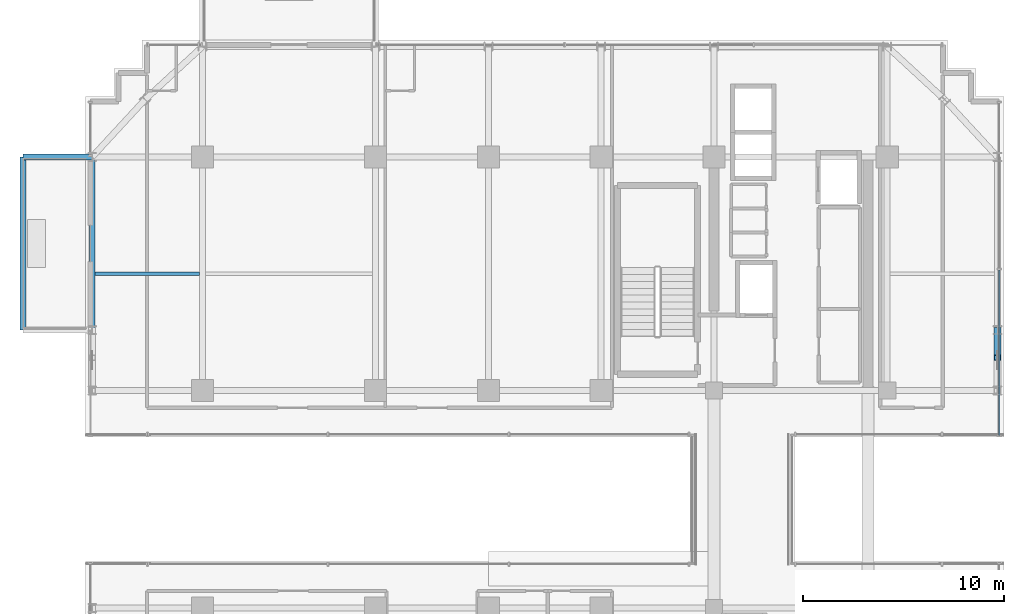
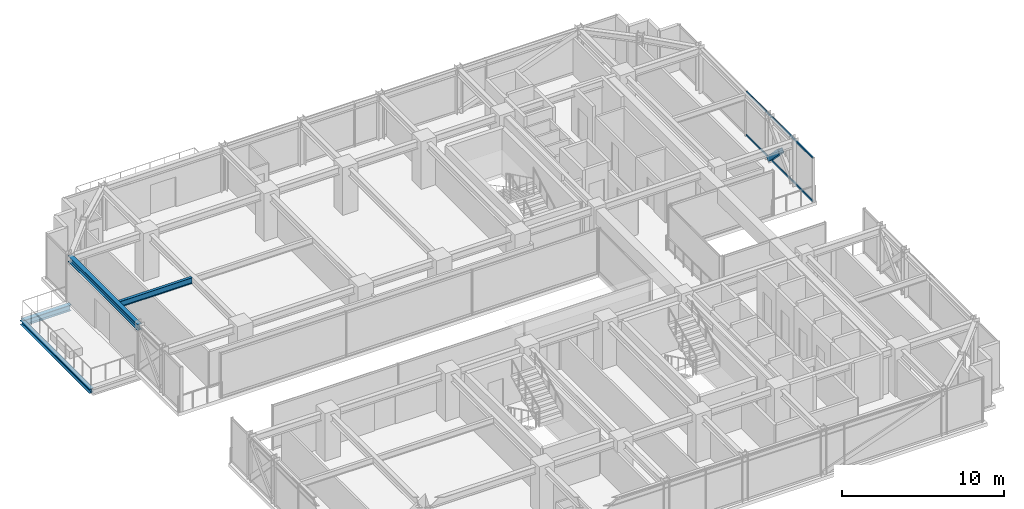
# One storey, part 20 of 37: 4 beams, 3 members, 1 element without a shape of its own.
"""IFC4 building model written with IfcOpenShell, lengths in metres."""

from ifc_helpers import new_model, si_unit, direction, frame, origin, origin_2d, place, context, subcontext, project, spatial, hollow_rectangle, i_section, extrude, source, transform, mapped, material, material_profile, profile_set, type_object, element, aggregate, save


model = new_model("IFC4")

# Units and contexts
model_context = context("Model", 3, precision=1e-05, world=origin(), true_north=direction((0.0, 1.0)))
body_context = subcontext(model_context, "Body", "Model", "MODEL_VIEW")
ifc_project = project(units=[si_unit("LENGTHUNIT", "METRE"), si_unit("AREAUNIT", "SQUARE_METRE"), si_unit("VOLUMEUNIT", "CUBIC_METRE"), si_unit("PLANEANGLEUNIT", "RADIAN"), si_unit("MASSUNIT", "GRAM", prefix="KILO")], contexts=[model_context])

# Site, building, storey
site_placement = place(None, origin())
site = spatial("IfcSite", under=ifc_project, at=site_placement, CompositionType="ELEMENT")
building_placement = place(site_placement, origin())
building = spatial("IfcBuilding", under=site, at=building_placement, Name="Nahalor Promenade Grand Hotel", CompositionType="ELEMENT")
storey_placement = place(building_placement, frame((0.0, 0.0, 167.25)))
storey = spatial("IfcBuildingStorey", under=building, at=storey_placement, Name="L42", CompositionType="ELEMENT", Elevation=167.25)

# Beams
ifc_material_1 = material(Name="Steel S355JR", Category="steel")
ifc_material_profile_1 = material_profile(ifc_material_1, i_section(OverallWidth=0.3, OverallDepth=0.32, WebThickness=0.0115, FlangeThickness=0.0205, at=origin_2d()), Name="HEB 320")
ifc_profile_set_1 = profile_set([ifc_material_profile_1], Name="Steel S355JR")
beam_type_1 = type_object("IfcBeamType", Name="Beam-BalcEdge-HEB320", PredefinedType="SPANDREL", material=ifc_profile_set_1)
shared_shape_1 = source(origin(), body_context, "Body", "SweptSolid", [
    extrude(i_section(OverallWidth=0.3, OverallDepth=0.32, WebThickness=0.0115, FlangeThickness=0.0205, at=origin_2d()), origin(), (0.0, 0.0, 1.0), 8.60009765625),
])
beam_1_placement = place(storey_placement, frame((-25.909912109375, 8.39990234375, -0.43994140625), z_axis=(0.0, 1.0, 0.0), x_axis=(-1.0, 0.0, 0.0)))
element("IfcBeam", 1, at=beam_1_placement, inside=storey, type_object=beam_type_1, Name="BM-L42-BC-02-F", PredefinedType="SPANDREL", context=body_context, shape_type="MappedRepresentation", body=[
    mapped(shared_shape_1, transform((0.0, 0.0, 0.0), scale=1.0)),
])
ifc_material_profile_2 = material_profile(ifc_material_1, i_section(OverallWidth=0.3, OverallDepth=0.45, WebThickness=0.014, FlangeThickness=0.026, at=origin_2d()), Name="HEB 450")
ifc_profile_set_2 = profile_set([ifc_material_profile_2], Name="Steel S355JR")
beam_type_2 = type_object("IfcBeamType", Name="Beam-Outrigger-HEB450", PredefinedType="BEAM", material=ifc_profile_set_2)
shared_shape_2 = source(origin(), body_context, "Body", "SweptSolid", [
    extrude(i_section(OverallWidth=0.3, OverallDepth=0.45, WebThickness=0.014, FlangeThickness=0.026, at=origin_2d()), origin(), (0.0, 0.0, 1.0), 3.429931640625),
])
beam_2_placement = place(storey_placement, frame((-25.909912109375, 17.0, -0.5048828125), z_axis=(1.0, 0.0, 0.0), x_axis=(0.0, 1.0, 0.0)))
element("IfcBeam", 2, at=beam_2_placement, inside=storey, type_object=beam_type_2, Name="BM-L42-BC-02-2", PredefinedType="BEAM", context=body_context, shape_type="MappedRepresentation", body=[
    mapped(shared_shape_2, transform((0.0, 0.0, 0.0), scale=1.0)),
])
ifc_material_profile_3 = material_profile(ifc_material_1, i_section(OverallWidth=0.19, OverallDepth=0.45, WebThickness=0.0094, FlangeThickness=0.0146, at=origin_2d()), Name="IPE 450")
ifc_profile_set_3 = profile_set([ifc_material_profile_3], Name="Steel S355JR")
beam_type_3 = type_object("IfcBeamType", Name="Beam-Joist-IPE450", PredefinedType="JOIST", material=ifc_profile_set_3)
shared_shape_3 = source(origin(), body_context, "Body", "SweptSolid", [
    extrude(i_section(OverallWidth=0.19, OverallDepth=0.45, WebThickness=0.0094, FlangeThickness=0.0146, at=origin_2d()), origin(), (0.0, 0.0, 1.0), 5.18017578125),
])
beam_3_placement = place(storey_placement, frame((-22.330078125, 11.199951171875, 3.1650390625), z_axis=(1.0, 0.0, 0.0), x_axis=(0.0, 1.0, 0.0)))
element("IfcBeam", 3, at=beam_3_placement, inside=storey, type_object=beam_type_3, Name="BM-L42-JSW-1-0", PredefinedType="JOIST", context=body_context, shape_type="MappedRepresentation", body=[
    mapped(shared_shape_3, transform((0.0, 0.0, 0.0), scale=1.0)),
])
ifc_material_profile_4 = material_profile(ifc_material_1, i_section(OverallWidth=0.3, OverallDepth=0.45, WebThickness=0.014, FlangeThickness=0.026, at=origin_2d()), Name="HEB 450")
ifc_profile_set_4 = profile_set([ifc_material_profile_4], Name="Steel S355JR")
beam_type_4 = type_object("IfcBeamType", Name="Beam-Spandrel-HEB450", PredefinedType="SPANDREL", material=ifc_profile_set_4)
shared_shape_4 = source(origin(), body_context, "Body", "SweptSolid", [
    extrude(i_section(OverallWidth=0.3, OverallDepth=0.45, WebThickness=0.014, FlangeThickness=0.026, at=origin_2d()), origin(), (0.0, 0.0, 1.0), 8.60009765625),
])
beam_4_placement = place(storey_placement, frame((-22.47998046875, 8.39990234375, 3.1650390625), z_axis=(0.0, 1.0, 0.0), x_axis=(-1.0, 0.0, 0.0)))
element("IfcBeam", 4, at=beam_4_placement, inside=storey, type_object=beam_type_4, Name="BM-L42-SP-W-4", PredefinedType="SPANDREL", context=body_context, shape_type="MappedRepresentation", body=[
    mapped(shared_shape_4, transform((0.0, 0.0, 0.0), scale=1.0)),
])

# Member
ifc_material_profile_5 = material_profile(ifc_material_1, hollow_rectangle(XDim=0.35, YDim=0.35, WallThickness=0.02, at=origin_2d()), Name="SHS 350x350x20")
ifc_profile_set_5 = profile_set([ifc_material_profile_5], Name="Steel S355JR")
member_type_1 = type_object("IfcMemberType", Name="Mem-VoidBrace-SHS350", PredefinedType="BRACE", material=ifc_profile_set_5)
shared_shape_5 = source(origin(), body_context, "Body", "SweptSolid", [
    extrude(hollow_rectangle(XDim=0.35, YDim=0.35, WallThickness=0.02, at=origin_2d()), origin(), (0.0, 0.0, 1.0), 1.96630859375),
])
member_1_placement = place(storey_placement, frame((22.47998046875, 8.39990234375, 0.14990234375), z_axis=(0.0, -0.696537426897, 0.717520461682), x_axis=(1.0, 0.0, 0.0)))
element("IfcMember", 5, at=member_1_placement, inside=storey, type_object=member_type_1, Name="EXO-L42-VX2-E1A", PredefinedType="BRACE", context=body_context, shape_type="MappedRepresentation", body=[
    mapped(shared_shape_5, transform((0.0, 0.0, 0.0), scale=1.0)),
])

# Curtain wall, members
ifc_material_2 = material(Name="Anodised Bronze Aluminium EN AW-6063 T6", Category="aluminium")
curtain_wall_type = type_object("IfcCurtainWallType", Name="CW3 Elliptical-Void Collar Unitised Curtain Wall", PredefinedType="USERDEFINED", material=ifc_material_2)
curtain_wall_placement = place(storey_placement, origin())
curtain_wall = element("IfcCurtainWall", 6, at=curtain_wall_placement, inside=storey, type_object=curtain_wall_type, Name="L42 Curtain Wall CW-L42-E-2", ObjectType="UNITISED_CURTAIN_WALL", PredefinedType="USERDEFINED")
ifc_material_profile_6 = material_profile(ifc_material_2, hollow_rectangle(XDim=0.07, YDim=0.14, WallThickness=0.004, at=origin_2d()), Name="CWT 70x140x4")
ifc_profile_set_6 = profile_set([ifc_material_profile_6], Name="Anodised Bronze Aluminium EN AW-6063 T6")
member_type_2 = type_object("IfcMemberType", Name="CWT3 Void Collar Transom 70x140", PredefinedType="USERDEFINED", material=ifc_profile_set_6)
shared_shape_6 = source(origin(), body_context, "Body", "SweptSolid", [
    extrude(hollow_rectangle(XDim=0.07, YDim=0.14, WallThickness=0.004, at=origin_2d()), origin(), (0.0, 0.0, 1.0), 8.22509765625),
])
member_2_placement = place(storey_placement, frame((22.56005859375, 3.169921875, 0.070068359375), z_axis=(0.0, 1.0, 0.0), x_axis=(-1.0, 0.0, 0.0)))
member_2 = element("IfcMember", 7, at=member_2_placement, type_object=member_type_2, Name="CW-L42-E-2 Transom 0-0", ObjectType="TRANSOM", PredefinedType="USERDEFINED", context=body_context, shape_type="MappedRepresentation", body=[
    mapped(shared_shape_6, transform((0.0, 0.0, 0.0), scale=1.0)),
])
member_3_placement = place(storey_placement, frame((22.56005859375, 3.169921875, 3.320068359375), z_axis=(0.0, 1.0, 0.0), x_axis=(-1.0, 0.0, 0.0)))
member_3 = element("IfcMember", 8, at=member_3_placement, type_object=member_type_2, Name="CW-L42-E-2 Transom 0-1", ObjectType="TRANSOM", PredefinedType="USERDEFINED", context=body_context, shape_type="MappedRepresentation", body=[
    mapped(shared_shape_6, transform((0.0, 0.0, 0.0), scale=1.0)),
])
aggregate(curtain_wall, [member_2, member_3])

save(model, "model.ifc")
